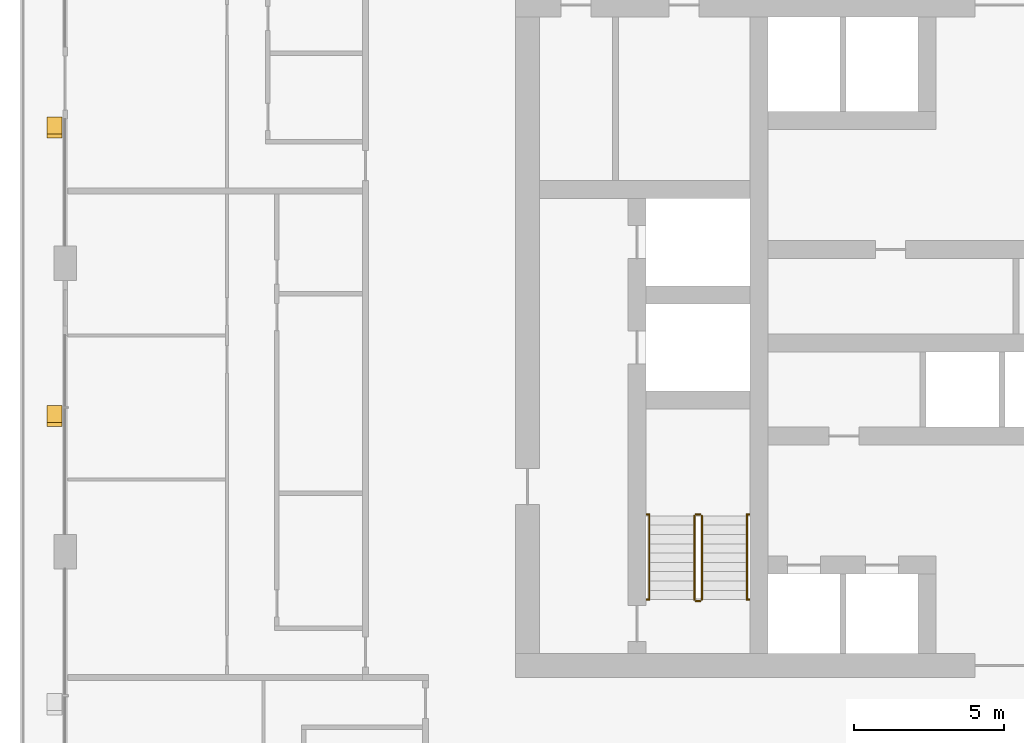
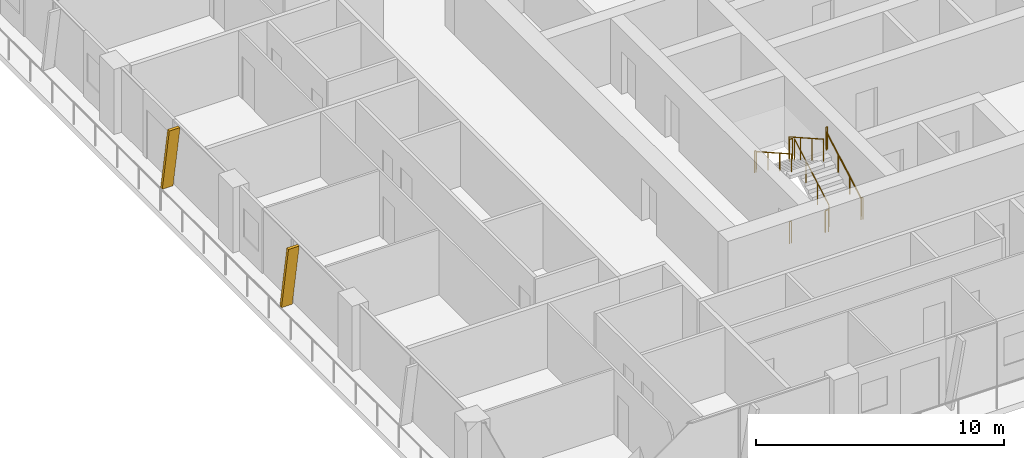
# One storey, part 17 of 22: 10 railings, 2 shading devices.
"""IFC4 building model written with IfcOpenShell, lengths in metres."""

from ifc_helpers import new_model, si_unit, direction, frame, origin, origin_2d, place, context, subcontext, project, spatial, polyline, circle, outline, extrude, material, type_object, element, save


model = new_model("IFC4")

# Units and contexts
model_context = context("Model", 3, precision=1e-05, world=origin(), true_north=direction((0.0, 1.0)))
body_context = subcontext(model_context, "Body", "Model", "MODEL_VIEW")
ifc_project = project(units=[si_unit("LENGTHUNIT", "METRE"), si_unit("AREAUNIT", "SQUARE_METRE"), si_unit("VOLUMEUNIT", "CUBIC_METRE"), si_unit("PLANEANGLEUNIT", "RADIAN"), si_unit("MASSUNIT", "GRAM", prefix="KILO")], contexts=[model_context])

# Site, building, storey
site_placement = place(None, origin())
site = spatial("IfcSite", under=ifc_project, at=site_placement, CompositionType="ELEMENT")
building_placement = place(site_placement, origin())
building = spatial("IfcBuilding", under=site, at=building_placement, Name="Madar Terraces", CompositionType="ELEMENT")
storey_placement = place(building_placement, frame((0.0, 0.0, 129.60009765625)))
storey = spatial("IfcBuildingStorey", under=building, at=storey_placement, Name="L33", CompositionType="ELEMENT", Elevation=129.60009765625)

# Shading devices
ifc_material_1 = material(Name="Aluminium, black anodised", Category="aluminium")
shading_device_type = type_object("IfcShadingDeviceType", Name="Facade fin blade 140 x 500", PredefinedType="USERDEFINED", material=ifc_material_1)
shading_device_1_placement = place(storey_placement, frame((-0.35009765625, 33.669921875, 0.0), z_axis=(0.0, 0.0, 1.0), x_axis=(0.0, -1.0, 0.0)))
element("IfcShadingDevice", 1, at=shading_device_1_placement, inside=storey, type_object=shading_device_type, Name="FIN L33 W2", ObjectType="FIN", PredefinedType="USERDEFINED", context=body_context, shape_type="SweptSolid", body=[
    extrude(outline(polyline([(0.0, 0.0), (0.139892578125, 0.0), (0.704345703125, 3.199951171875), (0.564208984375, 3.199951171875), (0.0, 0.0)])), frame((0.0, 0.25, 0.0), z_axis=(0.0, -1.0, 0.0), x_axis=(1.0, 0.0, 0.0)), (0.0, 0.0, 1.0), 0.5),
])
shading_device_2_placement = place(storey_placement, frame((-0.35009765625, 24.070068359375, 0.0), z_axis=(0.0, 0.0, 1.0), x_axis=(0.0, -1.0, 0.0)))
element("IfcShadingDevice", 2, at=shading_device_2_placement, inside=storey, type_object=shading_device_type, Name="FIN L33 W3", ObjectType="FIN", PredefinedType="USERDEFINED", context=body_context, shape_type="SweptSolid", body=[
    extrude(outline(polyline([(0.0, 0.0), (0.14013671875, 0.0), (0.704345703125, 3.199951171875), (0.564208984375, 3.199951171875), (0.0, 0.0)])), frame((0.0, 0.25, 0.0), z_axis=(0.0, -1.0, 0.0), x_axis=(1.0, 0.0, 0.0)), (0.0, 0.0, 1.0), 0.5),
])

# Railings
ifc_material_2 = material(Name="Stainless steel railing", Category="steel")
railing_type_1 = type_object("IfcRailingType", Name="Stair guard 1100", PredefinedType="GUARDRAIL", material=ifc_material_2)
railing_1_placement = place(storey_placement, frame((21.199951171875, 17.60009765625, 0.1748046875)))
element("IfcRailing", 3, at=railing_1_placement, inside=storey, type_object=railing_type_1, Name="L33 ST1 stair guard 1", PredefinedType="GUARDRAIL", context=body_context, shape_type="SweptSolid", body=[
    extrude(circle(Radius=0.02392578125, at=origin_2d()), frame((0.0, 0.0, 1.076171875), z_axis=(0.0, 0.870782738816, 0.491667999549), x_axis=(-1.0, 0.0, 0.0)), (0.0, 0.0, 1.0), 3.203857421875),
    extrude(circle(Radius=0.02099609375, at=origin_2d()), origin(), (0.0, 0.0, 1.0), 1.052001953125),
    extrude(circle(Radius=0.02099609375, at=origin_2d()), frame((0.0, 0.929931640625, 0.525146484375)), (0.0, 0.0, 1.0), 1.052001953125),
    extrude(circle(Radius=0.02099609375, at=origin_2d()), frame((0.0, 1.85986328125, 1.050048828125)), (0.0, 0.0, 1.0), 1.052001953125),
    extrude(circle(Radius=0.02099609375, at=origin_2d()), frame((0.0, 2.789794921875, 1.5751953125)), (0.0, 0.0, 1.0), 1.052001953125),
])
railing_2_placement = place(storey_placement, frame((21.14990234375, 20.43994140625, 1.75)))
element("IfcRailing", 4, at=railing_2_placement, inside=storey, type_object=railing_type_1, Name="L33 ST1 stair guard 2", PredefinedType="GUARDRAIL", context=body_context, shape_type="SweptSolid", body=[
    extrude(circle(Radius=0.02392578125, at=origin_2d()), frame((0.0, 0.0, 1.076171875), z_axis=(-1.0, 0.0, 0.0), x_axis=(0.0, -1.0, 0.0)), (0.0, 0.0, 1.0), 0.14990234375),
    extrude(circle(Radius=0.02099609375, at=origin_2d()), origin(), (0.0, 0.0, 1.0), 1.052001953125),
    extrude(circle(Radius=0.02099609375, at=origin_2d()), frame((-0.14990234375, 0.0, 0.0)), (0.0, 0.0, 1.0), 1.052001953125),
])
railing_3_placement = place(storey_placement, frame((20.949951171875, 20.389892578125, 1.9248046875)))
element("IfcRailing", 5, at=railing_3_placement, inside=storey, type_object=railing_type_1, Name="L33 ST1 stair guard 3", PredefinedType="GUARDRAIL", context=body_context, shape_type="SweptSolid", body=[
    extrude(circle(Radius=0.02392578125, at=origin_2d()), frame((0.0, 0.0, 1.076171875), z_axis=(0.0, -0.870782738816, 0.491667999549), x_axis=(1.0, 0.0, 0.0)), (0.0, 0.0, 1.0), 3.203857421875),
    extrude(circle(Radius=0.02099609375, at=origin_2d()), origin(), (0.0, 0.0, 1.0), 1.052001953125),
    extrude(circle(Radius=0.02099609375, at=origin_2d()), frame((0.0, -0.929931640625, 0.525146484375)), (0.0, 0.0, 1.0), 1.052001953125),
    extrude(circle(Radius=0.02099609375, at=origin_2d()), frame((0.0, -1.85986328125, 1.050048828125)), (0.0, 0.0, 1.0), 1.052001953125),
    extrude(circle(Radius=0.02099609375, at=origin_2d()), frame((0.0, -2.789794921875, 1.5751953125)), (0.0, 0.0, 1.0), 1.052001953125),
])
railing_4_placement = place(storey_placement, frame((21.14990234375, 17.550048828125, 0.0)))
element("IfcRailing", 6, at=railing_4_placement, inside=storey, type_object=railing_type_1, Name="L33 ST1 stair guard 4", PredefinedType="GUARDRAIL", context=body_context, shape_type="SweptSolid", body=[
    extrude(circle(Radius=0.02392578125, at=origin_2d()), frame((0.0, 0.0, 1.076171875), z_axis=(-1.0, 0.0, 0.0), x_axis=(0.0, -1.0, 0.0)), (0.0, 0.0, 1.0), 0.14990234375),
    extrude(circle(Radius=0.02099609375, at=origin_2d()), origin(), (0.0, 0.0, 1.0), 1.052001953125),
    extrude(circle(Radius=0.02099609375, at=origin_2d()), frame((-0.14990234375, 0.0, 0.0)), (0.0, 0.0, 1.0), 1.052001953125),
])
railing_5_placement = place(storey_placement, frame((19.3701171875, 20.43994140625, 1.75)))
element("IfcRailing", 7, at=railing_5_placement, inside=storey, type_object=railing_type_1, Name="L33 stair guard seat 1", PredefinedType="GUARDRAIL", context=body_context, shape_type="SweptSolid", body=[
    extrude(circle(Radius=0.02392578125, at=origin_2d()), frame((0.0, 0.0, 1.076171875), z_axis=(1.0, 0.0, 0.0), x_axis=(0.0, 1.0, 0.0)), (0.0, 0.0, 1.0), 0.079833984375),
    extrude(circle(Radius=0.02099609375, at=origin_2d()), origin(), (0.0, 0.0, 1.0), 1.052001953125),
    extrude(circle(Radius=0.02099609375, at=origin_2d()), frame((0.079833984375, 0.0, 0.0)), (0.0, 0.0, 1.0), 1.052001953125),
])
railing_6_placement = place(storey_placement, frame((22.699951171875, 20.43994140625, 1.75)))
element("IfcRailing", 8, at=railing_6_placement, inside=storey, type_object=railing_type_1, Name="L33 stair guard seat 2", PredefinedType="GUARDRAIL", context=body_context, shape_type="SweptSolid", body=[
    extrude(circle(Radius=0.02392578125, at=origin_2d()), frame((0.0, 0.0, 1.076171875), z_axis=(1.0, 0.0, 0.0), x_axis=(0.0, 1.0, 0.0)), (0.0, 0.0, 1.0), 0.080078125),
    extrude(circle(Radius=0.02099609375, at=origin_2d()), origin(), (0.0, 0.0, 1.0), 1.052001953125),
    extrude(circle(Radius=0.02099609375, at=origin_2d()), frame((0.080078125, 0.0, 0.0)), (0.0, 0.0, 1.0), 1.052001953125),
])
railing_7_placement = place(storey_placement, frame((19.3701171875, 17.60009765625, 0.0)))
element("IfcRailing", 9, at=railing_7_placement, inside=storey, type_object=railing_type_1, Name="L33 stair guard floor 1", PredefinedType="GUARDRAIL", context=body_context, shape_type="SweptSolid", body=[
    extrude(circle(Radius=0.02392578125, at=origin_2d()), frame((0.0, 0.0, 1.076171875), z_axis=(1.0, 0.0, 0.0), x_axis=(0.0, 1.0, 0.0)), (0.0, 0.0, 1.0), 0.079833984375),
    extrude(circle(Radius=0.02099609375, at=origin_2d()), origin(), (0.0, 0.0, 1.0), 1.052001953125),
    extrude(circle(Radius=0.02099609375, at=origin_2d()), frame((0.079833984375, 0.0, 0.0)), (0.0, 0.0, 1.0), 1.052001953125),
])
railing_8_placement = place(storey_placement, frame((22.699951171875, 17.60009765625, 0.0)))
element("IfcRailing", 10, at=railing_8_placement, inside=storey, type_object=railing_type_1, Name="L33 stair guard floor 2", PredefinedType="GUARDRAIL", context=body_context, shape_type="SweptSolid", body=[
    extrude(circle(Radius=0.02392578125, at=origin_2d()), frame((0.0, 0.0, 1.076171875), z_axis=(1.0, 0.0, 0.0), x_axis=(0.0, 1.0, 0.0)), (0.0, 0.0, 1.0), 0.080078125),
    extrude(circle(Radius=0.02099609375, at=origin_2d()), origin(), (0.0, 0.0, 1.0), 1.052001953125),
    extrude(circle(Radius=0.02099609375, at=origin_2d()), frame((0.080078125, 0.0, 0.0)), (0.0, 0.0, 1.0), 1.052001953125),
])
ifc_material_3 = material(Name="Stainless steel railing", Category="steel")
railing_type_2 = type_object("IfcRailingType", Name="Stair handrail 900", PredefinedType="HANDRAIL", material=ifc_material_3)
railing_9_placement = place(storey_placement, frame((22.699951171875, 17.60009765625, 0.1748046875)))
element("IfcRailing", 11, at=railing_9_placement, inside=storey, type_object=railing_type_2, Name="L33 ST1 stair handrail 1", PredefinedType="HANDRAIL", context=body_context, shape_type="SweptSolid", body=[
    extrude(circle(Radius=0.02392578125, at=origin_2d()), frame((0.0, 0.0, 0.8759765625), z_axis=(0.0, 0.870782738816, 0.491667999549), x_axis=(-1.0, 0.0, 0.0)), (0.0, 0.0, 1.0), 3.203857421875),
    extrude(circle(Radius=0.02099609375, at=origin_2d()), origin(), (0.0, 0.0, 1.0), 0.851806640625),
    extrude(circle(Radius=0.02099609375, at=origin_2d()), frame((0.0, 0.929931640625, 0.525146484375)), (0.0, 0.0, 1.0), 0.851806640625),
    extrude(circle(Radius=0.02099609375, at=origin_2d()), frame((0.0, 1.85986328125, 1.050048828125)), (0.0, 0.0, 1.0), 0.851806640625),
    extrude(circle(Radius=0.02099609375, at=origin_2d()), frame((0.0, 2.789794921875, 1.5751953125)), (0.0, 0.0, 1.0), 0.851806640625),
])
railing_10_placement = place(storey_placement, frame((19.449951171875, 20.389892578125, 1.9248046875)))
element("IfcRailing", 12, at=railing_10_placement, inside=storey, type_object=railing_type_2, Name="L33 ST1 stair handrail 2", PredefinedType="HANDRAIL", context=body_context, shape_type="SweptSolid", body=[
    extrude(circle(Radius=0.02392578125, at=origin_2d()), frame((0.0, 0.0, 0.8759765625), z_axis=(0.0, -0.870782738816, 0.491667999549), x_axis=(1.0, 0.0, 0.0)), (0.0, 0.0, 1.0), 3.203857421875),
    extrude(circle(Radius=0.02099609375, at=origin_2d()), origin(), (0.0, 0.0, 1.0), 0.851806640625),
    extrude(circle(Radius=0.02099609375, at=origin_2d()), frame((0.0, -0.929931640625, 0.525146484375)), (0.0, 0.0, 1.0), 0.851806640625),
    extrude(circle(Radius=0.02099609375, at=origin_2d()), frame((0.0, -1.85986328125, 1.050048828125)), (0.0, 0.0, 1.0), 0.851806640625),
    extrude(circle(Radius=0.02099609375, at=origin_2d()), frame((0.0, -2.789794921875, 1.5751953125)), (0.0, 0.0, 1.0), 0.851806640625),
])

save(model, "model.ifc")
